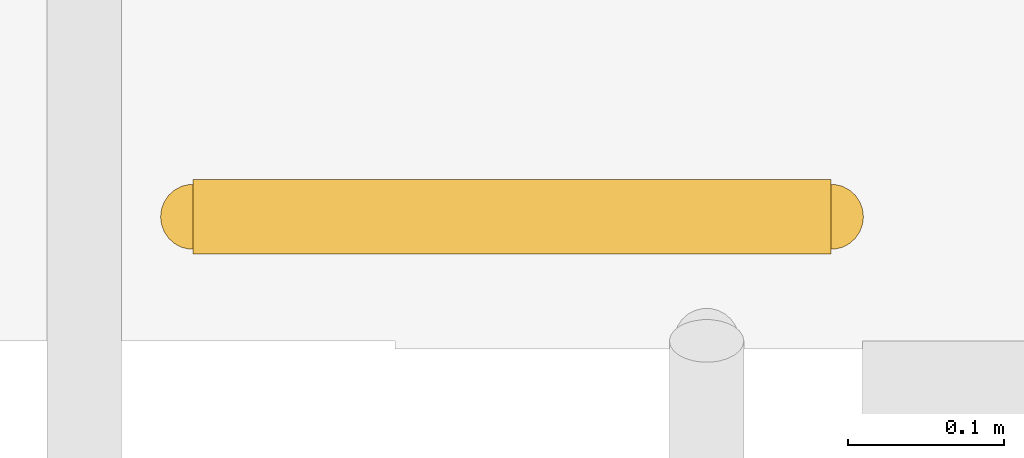
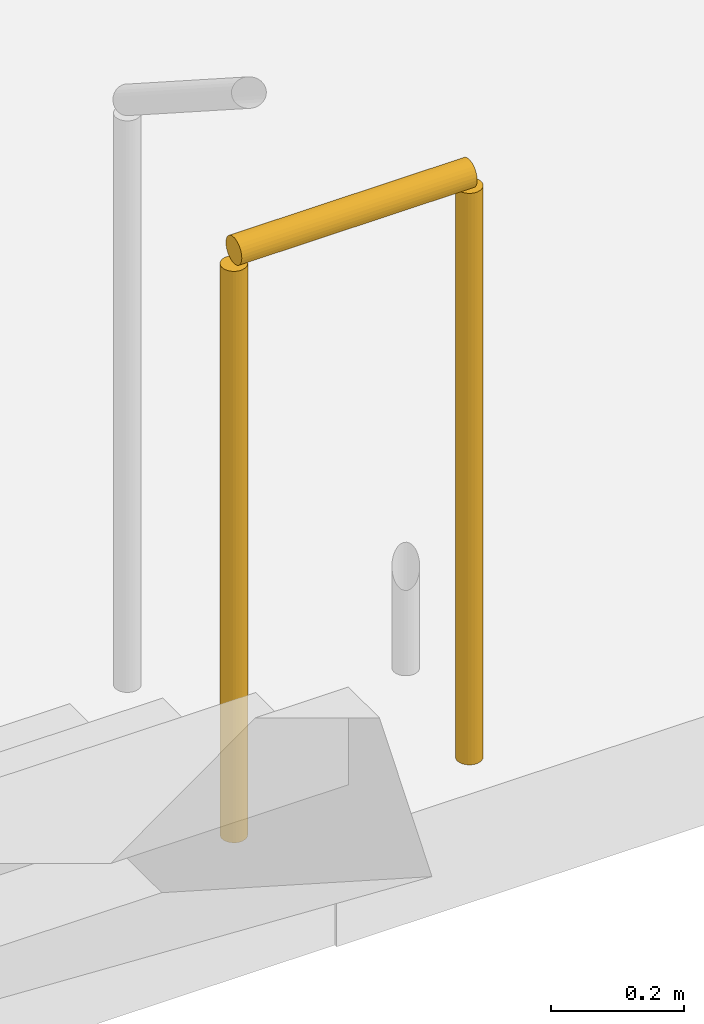
# One storey, part 26 of 26: 1 railing.
"""IFC4 building model written with IfcOpenShell, lengths in metres."""

from ifc_helpers import new_model, si_unit, direction, frame, origin, origin_2d, place, context, subcontext, project, spatial, circle, extrude, material, type_object, element, save


model = new_model("IFC4")

# Units and contexts
model_context = context("Model", 3, precision=1e-05, world=origin(), true_north=direction((0.0, 1.0)))
body_context = subcontext(model_context, "Body", "Model", "MODEL_VIEW")
ifc_project = project(units=[si_unit("LENGTHUNIT", "METRE"), si_unit("AREAUNIT", "SQUARE_METRE"), si_unit("VOLUMEUNIT", "CUBIC_METRE"), si_unit("PLANEANGLEUNIT", "RADIAN"), si_unit("MASSUNIT", "GRAM", prefix="KILO")], contexts=[model_context])

# Site, building, storey
site_placement = place(None, origin())
site = spatial("IfcSite", under=ifc_project, at=site_placement, CompositionType="ELEMENT")
building_placement = place(site_placement, origin())
building = spatial("IfcBuilding", under=site, at=building_placement, Name="Claustro Exchange Tower", CompositionType="ELEMENT")
storey_placement = place(building_placement, frame((0.0, 0.0, 9.89990234375)))
storey = spatial("IfcBuildingStorey", under=building, at=storey_placement, Name="L02", CompositionType="ELEMENT", Elevation=9.89990234375)

# Railing
ifc_material = material(Name="Steel balustrade, painted", Category="steel")
railing_type = type_object("IfcRailingType", Name="GR2 1100 steel stair guard", PredefinedType="GUARDRAIL", material=ifc_material)
railing_placement = place(storey_placement, frame((46.52001953125, 57.179931640625, 0.0)))
element("IfcRailing", 1, at=railing_placement, inside=storey, type_object=railing_type, Name="Stair guard GR2 STP4 L02", PredefinedType="GUARDRAIL", context=body_context, shape_type="SweptSolid", body=[
    extrude(circle(Radius=0.02392578125, at=origin_2d()), frame((0.0, 0.0, 1.076171875), z_axis=(1.0, 0.0, 0.0), x_axis=(0.0, 1.0, 0.0)), (0.0, 0.0, 1.0), 0.409912109375),
    extrude(circle(Radius=0.02099609375, at=origin_2d()), origin(), (0.0, 0.0, 1.0), 1.052001953125),
    extrude(circle(Radius=0.02099609375, at=origin_2d()), frame((0.409912109375, 0.0, 0.0)), (0.0, 0.0, 1.0), 1.052001953125),
])

save(model, "model.ifc")
